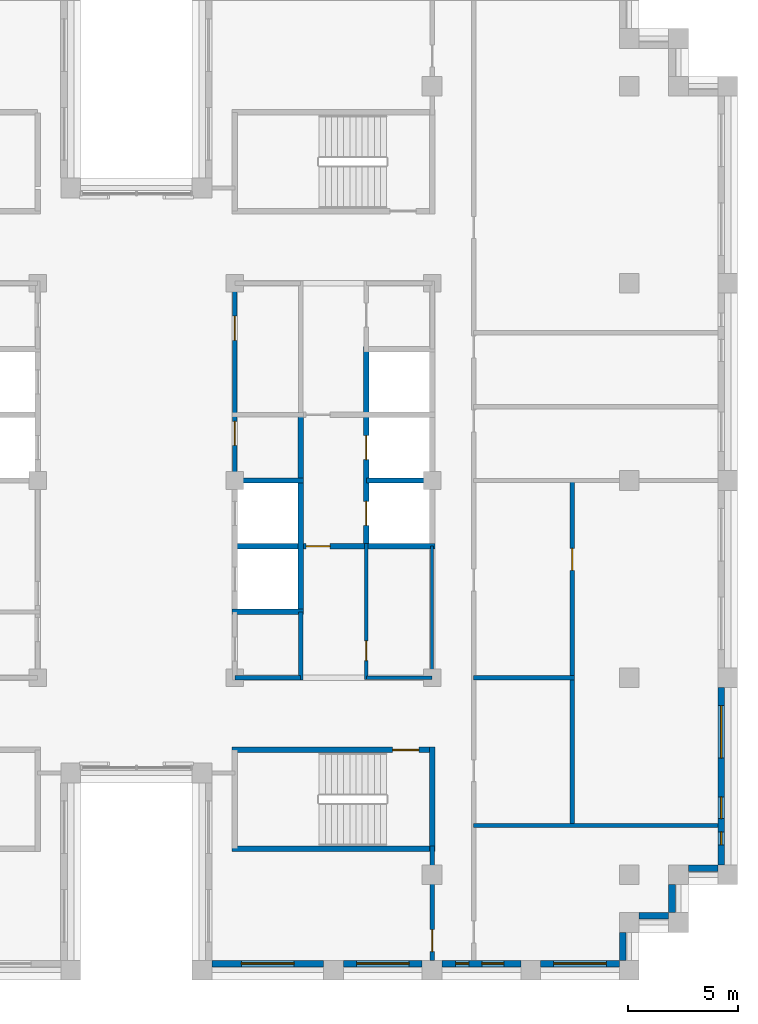
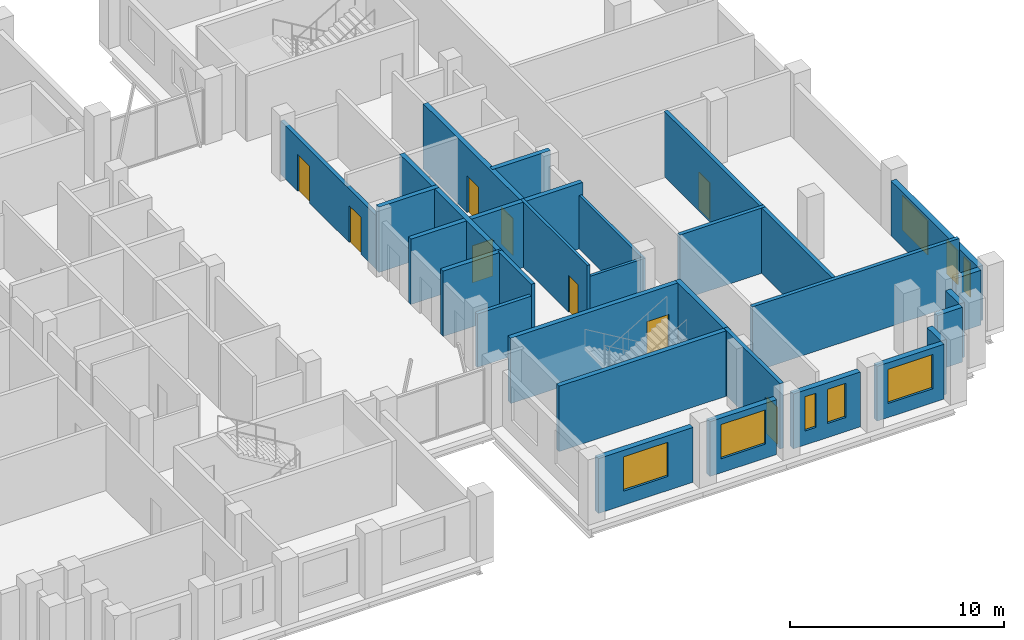
# One storey, part 8 of 13: 28 walls, 9 doors, 8 windows, 17 openings.
"""IFC4 building model written with IfcOpenShell, lengths in metres."""

from ifc_helpers import new_model, si_unit, direction, frame, frame_2d, origin, place, context, subcontext, project, spatial, rectangle, extrude, material, layer, layer_set, type_object, element, fill, save


model = new_model("IFC4")

# Units and contexts
model_context = context("Model", 3, precision=1e-05, world=origin(), true_north=direction((0.0, 1.0)))
body_context = subcontext(model_context, "Body", "Model", "MODEL_VIEW")
ifc_project = project(units=[si_unit("LENGTHUNIT", "METRE"), si_unit("AREAUNIT", "SQUARE_METRE"), si_unit("VOLUMEUNIT", "CUBIC_METRE"), si_unit("PLANEANGLEUNIT", "RADIAN"), si_unit("MASSUNIT", "GRAM", prefix="KILO")], contexts=[model_context])

# Site, building, storey
site_placement = place(None, origin())
site = spatial("IfcSite", under=ifc_project, at=site_placement, CompositionType="ELEMENT")
building_placement = place(site_placement, origin())
building = spatial("IfcBuilding", under=site, at=building_placement, Name="Corbelhall Arena Tower", CompositionType="ELEMENT")
storey_placement = place(building_placement, frame((0.0, 0.0, 286.0)))
storey = spatial("IfcBuildingStorey", under=building, at=storey_placement, Name="L62", CompositionType="ELEMENT", Elevation=286.0)

# Wall, opening, window
ifc_material_1 = material(Name="Precast concrete C40/50 with granite facing", Category="masonry")
ifc_layer_1 = layer(ifc_material_1, 0.300048828125)
ifc_layer_set_1 = layer_set([ifc_layer_1], Name="EV-IW1 Infill panel 300")
wall_type_1 = type_object("IfcWallType", Name="EV-IW1 Infill panel 300", PredefinedType="SOLIDWALL", material=ifc_layer_set_1)
wall_1_placement = place(storey_placement, frame((3.449951171875, -22.050048828125, 0.0), z_axis=(0.0, 0.0, 1.0), x_axis=(1.0, 0.0, 0.0)))
wall_1 = element("IfcWall", 1, at=wall_1_placement, inside=storey, type_object=wall_type_1, Name="Infill panel IW1", PredefinedType="SOLIDWALL", context=body_context, shape_type="SweptSolid", body=[
    extrude(rectangle(XDim=5.10009765625, YDim=0.300048828125, at=frame_2d((2.550048828125, 0.0))), origin(), (0.0, 0.0, 1.0), 3.1201171875),
])
opening_1_placement = place(wall_1_placement, frame((1.35009765625, 0.0, 0.800048828125)))
opening_1 = element("IfcOpeningElement", 2, at=opening_1_placement, cuts=wall_1, Name="Opening WN1", PredefinedType="OPENING", context=body_context, shape_type="SweptSolid", body=[
    extrude(rectangle(XDim=2.39990234375, YDim=1.949951171875, at=frame_2d((1.199951171875, 0.97509765625))), frame((0.0, 0.14990234375, 0.0), z_axis=(0.0, -1.0, 0.0), x_axis=(1.0, 0.0, 0.0)), (0.0, 0.0, 1.0), 0.300048828125),
])
ifc_material_2 = material(Name="Aluminium black anodised", Category="aluminium")
window_type_1 = type_object("IfcWindowType", Name="EV-WN1 Office window", PartitioningType="SINGLE_PANEL", PredefinedType="WINDOW", material=ifc_material_2)
window_1_placement = place(opening_1_placement, origin())
window_1 = element("IfcWindow", 3, at=window_1_placement, inside=storey, type_object=window_type_1, Name="Window WN1", OverallHeight=1.949951171875, OverallWidth=2.39990234375, PartitioningType="SINGLE_PANEL", PredefinedType="WINDOW", context=body_context, shape_type="SweptSolid", body=[
    extrude(rectangle(XDim=2.39990234375, YDim=1.949951171875, at=frame_2d((1.199951171875, 0.97509765625))), frame((0.0, 0.030029296875, 0.0), z_axis=(0.0, -1.0, 0.0), x_axis=(1.0, 0.0, 0.0)), (0.0, 0.0, 1.0), 0.06005859375),
])
fill(opening_1, window_1)

wall_2_placement = place(storey_placement, frame((9.449951171875, -22.050048828125, 0.0), z_axis=(0.0, 0.0, 1.0), x_axis=(1.0, 0.0, 0.0)))
wall_2 = element("IfcWall", 4, at=wall_2_placement, inside=storey, type_object=wall_type_1, Name="Infill panel IW1", PredefinedType="SOLIDWALL", context=body_context, shape_type="SweptSolid", body=[
    extrude(rectangle(XDim=3.60009765625, YDim=0.300048828125, at=frame_2d((1.800048828125, 0.0))), origin(), (0.0, 0.0, 1.0), 3.1201171875),
])
opening_2_placement = place(wall_2_placement, frame((0.60009765625, 0.0, 0.800048828125)))
opening_2 = element("IfcOpeningElement", 5, at=opening_2_placement, cuts=wall_2, Name="Opening WN1", PredefinedType="OPENING", context=body_context, shape_type="SweptSolid", body=[
    extrude(rectangle(XDim=2.39990234375, YDim=1.949951171875, at=frame_2d((1.199951171875, 0.97509765625))), frame((0.0, 0.14990234375, 0.0), z_axis=(0.0, -1.0, 0.0), x_axis=(1.0, 0.0, 0.0)), (0.0, 0.0, 1.0), 0.300048828125),
])
window_2_placement = place(opening_2_placement, origin())
window_2 = element("IfcWindow", 6, at=window_2_placement, inside=storey, type_object=window_type_1, Name="Window WN1", OverallHeight=1.949951171875, OverallWidth=2.39990234375, PartitioningType="SINGLE_PANEL", PredefinedType="WINDOW", context=body_context, shape_type="SweptSolid", body=[
    extrude(rectangle(XDim=2.39990234375, YDim=1.949951171875, at=frame_2d((1.199951171875, 0.97509765625))), frame((0.0, 0.030029296875, 0.0), z_axis=(0.0, -1.0, 0.0), x_axis=(1.0, 0.0, 0.0)), (0.0, 0.0, 1.0), 0.06005859375),
])
fill(opening_2, window_2)

# Wall, openings, windows
wall_3_placement = place(storey_placement, frame((13.949951171875, -22.050048828125, 0.0), z_axis=(0.0, 0.0, 1.0), x_axis=(1.0, 0.0, 0.0)))
wall_3 = element("IfcWall", 7, at=wall_3_placement, inside=storey, type_object=wall_type_1, Name="Infill panel IW1", PredefinedType="SOLIDWALL", context=body_context, shape_type="SweptSolid", body=[
    extrude(rectangle(XDim=3.60009765625, YDim=0.300048828125, at=frame_2d((1.800048828125, 0.0))), origin(), (0.0, 0.0, 1.0), 3.1201171875),
])
opening_3_placement = place(wall_3_placement, frame((0.625, 0.0, 0.800048828125)))
opening_3 = element("IfcOpeningElement", 8, at=opening_3_placement, cuts=wall_3, Name="Opening WN5", PredefinedType="OPENING", context=body_context, shape_type="SweptSolid", body=[
    extrude(rectangle(XDim=0.60009765625, YDim=1.949951171875, at=frame_2d((0.300048828125, 0.97509765625))), frame((0.0, 0.14990234375, 0.0), z_axis=(0.0, -1.0, 0.0), x_axis=(1.0, 0.0, 0.0)), (0.0, 0.0, 1.0), 0.300048828125),
])
opening_4_placement = place(wall_3_placement, frame((1.824951171875, 0.0, 0.800048828125)))
opening_4 = element("IfcOpeningElement", 9, at=opening_4_placement, cuts=wall_3, Name="Opening WN6", PredefinedType="OPENING", context=body_context, shape_type="SweptSolid", body=[
    extrude(rectangle(XDim=1.0, YDim=1.949951171875, at=frame_2d((0.5, 0.97509765625))), frame((0.0, 0.14990234375, 0.0), z_axis=(0.0, -1.0, 0.0), x_axis=(1.0, 0.0, 0.0)), (0.0, 0.0, 1.0), 0.300048828125),
])
window_type_2 = type_object("IfcWindowType", Name="EV-WN5 Office window 600", PartitioningType="SINGLE_PANEL", PredefinedType="WINDOW", material=ifc_material_2)
window_3_placement = place(opening_3_placement, origin())
window_3 = element("IfcWindow", 10, at=window_3_placement, inside=storey, type_object=window_type_2, Name="Window WN5", OverallHeight=1.949951171875, OverallWidth=0.60009765625, PartitioningType="SINGLE_PANEL", PredefinedType="WINDOW", context=body_context, shape_type="SweptSolid", body=[
    extrude(rectangle(XDim=0.60009765625, YDim=1.949951171875, at=frame_2d((0.300048828125, 0.97509765625))), frame((0.0, 0.030029296875, 0.0), z_axis=(0.0, -1.0, 0.0), x_axis=(1.0, 0.0, 0.0)), (0.0, 0.0, 1.0), 0.06005859375),
])
fill(opening_3, window_3)
window_type_3 = type_object("IfcWindowType", Name="EV-WN6 Office window 1000", PartitioningType="SINGLE_PANEL", PredefinedType="WINDOW", material=ifc_material_2)
window_4_placement = place(opening_4_placement, origin())
window_4 = element("IfcWindow", 11, at=window_4_placement, inside=storey, type_object=window_type_3, Name="Window WN6", OverallHeight=1.949951171875, OverallWidth=1.0, PartitioningType="SINGLE_PANEL", PredefinedType="WINDOW", context=body_context, shape_type="SweptSolid", body=[
    extrude(rectangle(XDim=1.0, YDim=1.949951171875, at=frame_2d((0.5, 0.97509765625))), frame((0.0, 0.030029296875, 0.0), z_axis=(0.0, -1.0, 0.0), x_axis=(1.0, 0.0, 0.0)), (0.0, 0.0, 1.0), 0.06005859375),
])
fill(opening_4, window_4)

# Wall, opening, window
wall_4_placement = place(storey_placement, frame((18.449951171875, -22.050048828125, 0.0), z_axis=(0.0, 0.0, 1.0), x_axis=(1.0, 0.0, 0.0)))
wall_4 = element("IfcWall", 12, at=wall_4_placement, inside=storey, type_object=wall_type_1, Name="Infill panel IW1", PredefinedType="SOLIDWALL", context=body_context, shape_type="SweptSolid", body=[
    extrude(rectangle(XDim=3.60009765625, YDim=0.300048828125, at=frame_2d((1.800048828125, 0.0))), origin(), (0.0, 0.0, 1.0), 3.1201171875),
])
opening_5_placement = place(wall_4_placement, frame((0.60009765625, 0.0, 0.800048828125)))
opening_5 = element("IfcOpeningElement", 13, at=opening_5_placement, cuts=wall_4, Name="Opening WN1", PredefinedType="OPENING", context=body_context, shape_type="SweptSolid", body=[
    extrude(rectangle(XDim=2.39990234375, YDim=1.949951171875, at=frame_2d((1.199951171875, 0.97509765625))), frame((0.0, 0.14990234375, 0.0), z_axis=(0.0, -1.0, 0.0), x_axis=(1.0, 0.0, 0.0)), (0.0, 0.0, 1.0), 0.300048828125),
])
window_5_placement = place(opening_5_placement, origin())
window_5 = element("IfcWindow", 14, at=window_5_placement, inside=storey, type_object=window_type_1, Name="Window WN1", OverallHeight=1.949951171875, OverallWidth=2.39990234375, PartitioningType="SINGLE_PANEL", PredefinedType="WINDOW", context=body_context, shape_type="SweptSolid", body=[
    extrude(rectangle(XDim=2.39990234375, YDim=1.949951171875, at=frame_2d((1.199951171875, 0.97509765625))), frame((0.0, 0.030029296875, 0.0), z_axis=(0.0, -1.0, 0.0), x_axis=(1.0, 0.0, 0.0)), (0.0, 0.0, 1.0), 0.06005859375),
])
fill(opening_5, window_5)

# Walls
wall_5_placement = place(storey_placement, frame((22.199951171875, -21.89990234375, 0.0), z_axis=(0.0, 0.0, 1.0), x_axis=(0.0, 1.0, 0.0)))
element("IfcWall", 15, at=wall_5_placement, inside=storey, type_object=wall_type_1, Name="Infill panel IW1", PredefinedType="SOLIDWALL", context=body_context, shape_type="SweptSolid", body=[
    extrude(rectangle(XDim=1.27490234375, YDim=0.300048828125, at=frame_2d((0.637451171875, 0.0))), origin(), (0.0, 0.0, 1.0), 3.1201171875),
])
wall_6_placement = place(storey_placement, frame((22.949951171875, -19.875, 0.0), z_axis=(0.0, 0.0, 1.0), x_axis=(1.0, 0.0, 0.0)))
element("IfcWall", 16, at=wall_6_placement, inside=storey, type_object=wall_type_1, Name="Infill panel IW1", PredefinedType="SOLIDWALL", context=body_context, shape_type="SweptSolid", body=[
    extrude(rectangle(XDim=1.35009765625, YDim=0.300048828125, at=frame_2d((0.675048828125, 0.0))), origin(), (0.0, 0.0, 1.0), 3.1201171875),
])
wall_7_placement = place(storey_placement, frame((24.449951171875, -19.72509765625, 0.0), z_axis=(0.0, 0.0, 1.0), x_axis=(0.0, 1.0, 0.0)))
element("IfcWall", 17, at=wall_7_placement, inside=storey, type_object=wall_type_1, Name="Infill panel IW1", PredefinedType="SOLIDWALL", context=body_context, shape_type="SweptSolid", body=[
    extrude(rectangle(XDim=1.275146484375, YDim=0.300048828125, at=frame_2d((0.6376953125, 0.0))), origin(), (0.0, 0.0, 1.0), 3.1201171875),
])
wall_8_placement = place(storey_placement, frame((25.199951171875, -17.699951171875, 0.0), z_axis=(0.0, 0.0, 1.0), x_axis=(1.0, 0.0, 0.0)))
element("IfcWall", 18, at=wall_8_placement, inside=storey, type_object=wall_type_1, Name="Infill panel IW1", PredefinedType="SOLIDWALL", context=body_context, shape_type="SweptSolid", body=[
    extrude(rectangle(XDim=1.35009765625, YDim=0.300048828125, at=frame_2d((0.675048828125, 0.0))), origin(), (0.0, 0.0, 1.0), 3.1201171875),
])

# Wall, openings, windows
wall_9_placement = place(storey_placement, frame((26.699951171875, -17.550048828125, 0.0), z_axis=(0.0, 0.0, 1.0), x_axis=(0.0, 1.0, 0.0)))
wall_9 = element("IfcWall", 19, at=wall_9_placement, inside=storey, type_object=wall_type_1, Name="Infill panel IW1", PredefinedType="SOLIDWALL", context=body_context, shape_type="SweptSolid", body=[
    extrude(rectangle(XDim=8.10009765625, YDim=0.300048828125, at=frame_2d((4.050048828125, 0.0))), origin(), (0.0, 0.0, 1.0), 3.1201171875),
])
opening_6_placement = place(wall_9_placement, frame((4.875, 0.0, 0.800048828125)))
opening_6 = element("IfcOpeningElement", 20, at=opening_6_placement, cuts=wall_9, Name="Opening WN1", PredefinedType="OPENING", context=body_context, shape_type="SweptSolid", body=[
    extrude(rectangle(XDim=2.39990234375, YDim=1.949951171875, at=frame_2d((1.199951171875, 0.97509765625))), frame((0.0, 0.14990234375, 0.0), z_axis=(0.0, -1.0, 0.0), x_axis=(1.0, 0.0, 0.0)), (0.0, 0.0, 1.0), 0.300048828125),
])
opening_7_placement = place(wall_9_placement, frame((0.91259765625, 0.0, 0.800048828125)))
opening_7 = element("IfcOpeningElement", 21, at=opening_7_placement, cuts=wall_9, Name="Opening WN5", PredefinedType="OPENING", context=body_context, shape_type="SweptSolid", body=[
    extrude(rectangle(XDim=0.60009765625, YDim=1.949951171875, at=frame_2d((0.300048828125, 0.97509765625))), frame((0.0, 0.14990234375, 0.0), z_axis=(0.0, -1.0, 0.0), x_axis=(1.0, 0.0, 0.0)), (0.0, 0.0, 1.0), 0.300048828125),
])
opening_8_placement = place(wall_9_placement, frame((2.112548828125, 0.0, 0.800048828125)))
opening_8 = element("IfcOpeningElement", 22, at=opening_8_placement, cuts=wall_9, Name="Opening WN6", PredefinedType="OPENING", context=body_context, shape_type="SweptSolid", body=[
    extrude(rectangle(XDim=1.0, YDim=1.949951171875, at=frame_2d((0.5, 0.97509765625))), frame((0.0, 0.14990234375, 0.0), z_axis=(0.0, -1.0, 0.0), x_axis=(1.0, 0.0, 0.0)), (0.0, 0.0, 1.0), 0.300048828125),
])
window_6_placement = place(opening_6_placement, origin())
window_6 = element("IfcWindow", 23, at=window_6_placement, inside=storey, type_object=window_type_1, Name="Window WN1", OverallHeight=1.949951171875, OverallWidth=2.39990234375, PartitioningType="SINGLE_PANEL", PredefinedType="WINDOW", context=body_context, shape_type="SweptSolid", body=[
    extrude(rectangle(XDim=2.39990234375, YDim=1.949951171875, at=frame_2d((1.199951171875, 0.97509765625))), frame((0.0, 0.030029296875, 0.0), z_axis=(0.0, -1.0, 0.0), x_axis=(1.0, 0.0, 0.0)), (0.0, 0.0, 1.0), 0.06005859375),
])
fill(opening_6, window_6)
window_7_placement = place(opening_7_placement, origin())
window_7 = element("IfcWindow", 24, at=window_7_placement, inside=storey, type_object=window_type_2, Name="Window WN5", OverallHeight=1.949951171875, OverallWidth=0.60009765625, PartitioningType="SINGLE_PANEL", PredefinedType="WINDOW", context=body_context, shape_type="SweptSolid", body=[
    extrude(rectangle(XDim=0.60009765625, YDim=1.949951171875, at=frame_2d((0.300048828125, 0.97509765625))), frame((0.0, 0.030029296875, 0.0), z_axis=(0.0, -1.0, 0.0), x_axis=(1.0, 0.0, 0.0)), (0.0, 0.0, 1.0), 0.06005859375),
])
fill(opening_7, window_7)
window_8_placement = place(opening_8_placement, origin())
window_8 = element("IfcWindow", 25, at=window_8_placement, inside=storey, type_object=window_type_3, Name="Window WN6", OverallHeight=1.949951171875, OverallWidth=1.0, PartitioningType="SINGLE_PANEL", PredefinedType="WINDOW", context=body_context, shape_type="SweptSolid", body=[
    extrude(rectangle(XDim=1.0, YDim=1.949951171875, at=frame_2d((0.5, 0.97509765625))), frame((0.0, 0.030029296875, 0.0), z_axis=(0.0, -1.0, 0.0), x_axis=(1.0, 0.0, 0.0)), (0.0, 0.0, 1.0), 0.06005859375),
])
fill(opening_8, window_8)

# Wall, opening, door
ifc_material_3 = material(Name="Gypsum board on steel stud, acoustic", Category="steel")
ifc_layer_2 = layer(ifc_material_3, 0.199951171875)
ifc_layer_set_2 = layer_set([ifc_layer_2], Name="IN-W-DM200")
wall_type_2 = type_object("IfcWallType", Name="IN-W-DM200", PredefinedType="PARTITIONING", material=ifc_layer_set_2)
wall_10_placement = place(storey_placement, frame((13.5, -21.89990234375, 0.0), z_axis=(0.0, 0.0, 1.0), x_axis=(0.0, 1.0, 0.0)))
wall_10 = element("IfcWall", 26, at=wall_10_placement, inside=storey, type_object=wall_type_2, Name="Partition 012", PredefinedType="PARTITIONING", context=body_context, shape_type="SweptSolid", body=[
    extrude(rectangle(XDim=5.224853515625, YDim=0.199951171875, at=frame_2d((2.6123046875, 0.0))), origin(), (0.0, 0.0, 1.0), 3.719970703125),
])
opening_9_placement = place(wall_10_placement, frame((0.39990234375, 0.0, 0.0)))
opening_9 = element("IfcOpeningElement", 27, at=opening_9_placement, cuts=wall_10, Name="Opening 20022", PredefinedType="OPENING", context=body_context, shape_type="SweptSolid", body=[
    extrude(rectangle(XDim=1.0, YDim=2.10009765625, at=frame_2d((0.5, 1.050048828125))), frame((0.0, 0.10009765625, 0.0), z_axis=(0.0, -1.0, 0.0), x_axis=(1.0, 0.0, 0.0)), (0.0, 0.0, 1.0), 0.199951171875),
])
ifc_material_4 = material(Name="Steel door set", Category="steel")
door_type_1 = type_object("IfcDoorType", Name="IN-D-SW100", OperationType="NOTDEFINED", PredefinedType="DOOR", material=ifc_material_4)
door_1_placement = place(opening_9_placement, origin())
door_1 = element("IfcDoor", 28, at=door_1_placement, inside=storey, type_object=door_type_1, Name="Door 022", OperationType="SINGLE_SWING_LEFT", OverallHeight=2.10009765625, OverallWidth=1.0, PredefinedType="DOOR", context=body_context, shape_type="SweptSolid", body=[
    extrude(rectangle(XDim=1.0, YDim=2.10009765625, at=frame_2d((0.5, 1.050048828125))), frame((0.0, 0.02490234375, 0.0), z_axis=(0.0, -1.0, 0.0), x_axis=(1.0, 0.0, 0.0)), (0.0, 0.0, 1.0), 0.050048828125),
])
fill(opening_9, door_1)

# Walls
wall_11_placement = place(storey_placement, frame((15.39990234375, -15.75, 0.0), z_axis=(0.0, 0.0, 1.0), x_axis=(1.0, 0.0, 0.0)))
element("IfcWall", 29, at=wall_11_placement, inside=storey, type_object=wall_type_2, Name="Partition 014", PredefinedType="PARTITIONING", context=body_context, shape_type="SweptSolid", body=[
    extrude(rectangle(XDim=11.150146484375, YDim=0.199951171875, at=frame_2d((5.5751953125, 0.0))), origin(), (0.0, 0.0, 1.0), 3.719970703125),
])
wall_12_placement = place(storey_placement, frame((15.39990234375, -9.0, 0.0), z_axis=(0.0, 0.0, 1.0), x_axis=(1.0, 0.0, 0.0)))
element("IfcWall", 30, at=wall_12_placement, inside=storey, type_object=wall_type_2, Name="Partition 016", PredefinedType="PARTITIONING", context=body_context, shape_type="SweptSolid", body=[
    extrude(rectangle(XDim=4.60009765625, YDim=0.199951171875, at=frame_2d((2.300048828125, 0.0))), origin(), (0.0, 0.0, 1.0), 3.719970703125),
])

# Wall, opening, door
wall_13_placement = place(storey_placement, frame((19.89990234375, 0.0, 0.0), z_axis=(0.0, 0.0, 1.0), x_axis=(0.0, -1.0, 0.0)))
wall_13 = element("IfcWall", 31, at=wall_13_placement, inside=storey, type_object=wall_type_2, Name="Partition 019", PredefinedType="PARTITIONING", context=body_context, shape_type="SweptSolid", body=[
    extrude(rectangle(XDim=15.75, YDim=0.199951171875, at=frame_2d((7.875, 0.0))), origin(), (0.0, 0.0, 1.0), 3.719970703125),
])
opening_10_placement = place(wall_13_placement, frame((3.10009765625, 0.0, 0.0)))
opening_10 = element("IfcOpeningElement", 32, at=opening_10_placement, cuts=wall_13, Name="Opening 20034", PredefinedType="OPENING", context=body_context, shape_type="SweptSolid", body=[
    extrude(rectangle(XDim=1.0, YDim=2.10009765625, at=frame_2d((0.5, 1.050048828125))), frame((0.0, 0.10009765625, 0.0), z_axis=(0.0, -1.0, 0.0), x_axis=(1.0, 0.0, 0.0)), (0.0, 0.0, 1.0), 0.199951171875),
])
door_2_placement = place(opening_10_placement, origin())
door_2 = element("IfcDoor", 33, at=door_2_placement, inside=storey, type_object=door_type_1, Name="Door 034", OperationType="SINGLE_SWING_LEFT", OverallHeight=2.10009765625, OverallWidth=1.0, PredefinedType="DOOR", context=body_context, shape_type="SweptSolid", body=[
    extrude(rectangle(XDim=1.0, YDim=2.10009765625, at=frame_2d((0.5, 1.050048828125))), frame((0.0, 0.02490234375, 0.0), z_axis=(0.0, -1.0, 0.0), x_axis=(1.0, 0.0, 0.0)), (0.0, 0.0, 1.0), 0.050048828125),
])
fill(opening_10, door_2)

# Wall
ifc_material_5 = material(Name="Concrete block wall", Category="concrete")
ifc_layer_3 = layer(ifc_material_5, 0.199951171875)
ifc_layer_set_3 = layer_set([ifc_layer_3], Name="IN-W-RS200")
wall_type_3 = type_object("IfcWallType", Name="IN-W-RS200", PredefinedType="SOLIDWALL", material=ifc_layer_set_3)
wall_14_placement = place(storey_placement, frame((7.5, -6.0, 0.0), z_axis=(0.0, 0.0, 1.0), x_axis=(0.0, -1.0, 0.0)))
element("IfcWall", 34, at=wall_14_placement, inside=storey, type_object=wall_type_3, Name="Partition 035", PredefinedType="SOLIDWALL", context=body_context, shape_type="SweptSolid", body=[
    extrude(rectangle(XDim=3.10009765625, YDim=0.199951171875, at=frame_2d((1.550048828125, 0.0))), origin(), (0.0, 0.0, 1.0), 3.719970703125),
])

# Wall, openings, doors
ifc_layer_4 = layer(ifc_material_5, 0.199951171875)
ifc_layer_set_4 = layer_set([ifc_layer_4], Name="IN-W-RS200 under beam 678 mm")
wall_type_4 = type_object("IfcWallType", Name="IN-W-RS200 under beam 678 mm", PredefinedType="SOLIDWALL", material=ifc_layer_set_4)
wall_15_placement = place(storey_placement, frame((4.5, 0.0, 0.0), z_axis=(0.0, 0.0, 1.0), x_axis=(0.0, 1.0, 0.0)))
wall_15 = element("IfcWall", 35, at=wall_15_placement, inside=storey, type_object=wall_type_4, Name="Partition 032", PredefinedType="SOLIDWALL", context=body_context, shape_type="SweptSolid", body=[
    extrude(rectangle(XDim=9.10009765625, YDim=0.199951171875, at=frame_2d((4.550048828125, 0.0))), origin(), (0.0, 0.0, 1.0), 3.041748046875),
])
opening_11_placement = place(wall_15_placement, frame((1.60009765625, 0.0, 0.0)))
opening_11 = element("IfcOpeningElement", 36, at=opening_11_placement, cuts=wall_15, Name="Opening 20010", PredefinedType="OPENING", context=body_context, shape_type="SweptSolid", body=[
    extrude(rectangle(XDim=1.10009765625, YDim=2.10009765625, at=frame_2d((0.550048828125, 1.050048828125))), frame((0.0, 0.10009765625, 0.0), z_axis=(0.0, -1.0, 0.0), x_axis=(1.0, 0.0, 0.0)), (0.0, 0.0, 1.0), 0.199951171875),
])
opening_12_placement = place(wall_15_placement, frame((6.39990234375, 0.0, 0.0)))
opening_12 = element("IfcOpeningElement", 37, at=opening_12_placement, cuts=wall_15, Name="Opening 20011", PredefinedType="OPENING", context=body_context, shape_type="SweptSolid", body=[
    extrude(rectangle(XDim=1.10009765625, YDim=2.10009765625, at=frame_2d((0.550048828125, 1.050048828125))), frame((0.0, 0.10009765625, 0.0), z_axis=(0.0, -1.0, 0.0), x_axis=(1.0, 0.0, 0.0)), (0.0, 0.0, 1.0), 0.199951171875),
])
door_type_2 = type_object("IfcDoorType", Name="IN-D-FD110", OperationType="NOTDEFINED", PredefinedType="DOOR", material=ifc_material_4)
door_3_placement = place(opening_11_placement, origin())
door_3 = element("IfcDoor", 38, at=door_3_placement, inside=storey, type_object=door_type_2, Name="Door 010", OperationType="SINGLE_SWING_LEFT", OverallHeight=2.10009765625, OverallWidth=1.10009765625, PredefinedType="DOOR", context=body_context, shape_type="SweptSolid", body=[
    extrude(rectangle(XDim=1.10009765625, YDim=2.10009765625, at=frame_2d((0.550048828125, 1.050048828125))), frame((0.0, 0.02490234375, 0.0), z_axis=(0.0, -1.0, 0.0), x_axis=(1.0, 0.0, 0.0)), (0.0, 0.0, 1.0), 0.050048828125),
])
fill(opening_11, door_3)
door_4_placement = place(opening_12_placement, origin())
door_4 = element("IfcDoor", 39, at=door_4_placement, inside=storey, type_object=door_type_2, Name="Door 011", OperationType="SINGLE_SWING_RIGHT", OverallHeight=2.10009765625, OverallWidth=1.10009765625, PredefinedType="DOOR", context=body_context, shape_type="SweptSolid", body=[
    extrude(rectangle(XDim=1.10009765625, YDim=2.10009765625, at=frame_2d((0.550048828125, 1.050048828125))), frame((0.0, 0.02490234375, 0.0), z_axis=(0.0, -1.0, 0.0), x_axis=(1.0, 0.0, 0.0)), (0.0, 0.0, 1.0), 0.050048828125),
])
fill(opening_12, door_4)

# Walls
wall_16_placement = place(storey_placement, frame((7.5, -9.0, 0.0), z_axis=(0.0, 0.0, 1.0), x_axis=(-1.0, 0.0, 0.0)))
element("IfcWall", 40, at=wall_16_placement, inside=storey, type_object=wall_type_4, Name="Partition 034", PredefinedType="SOLIDWALL", context=body_context, shape_type="SweptSolid", body=[
    extrude(rectangle(XDim=3.0, YDim=0.199951171875, at=frame_2d((1.5, 0.0))), origin(), (0.0, 0.0, 1.0), 3.041748046875),
])
ifc_material_6 = material(Name="Concrete C40/50", Category="concrete")
ifc_layer_5 = layer(ifc_material_6, 0.25)
ifc_layer_set_5 = layer_set([ifc_layer_5], Name="IN-W-SH250")
wall_type_5 = type_object("IfcWallType", Name="IN-W-SH250", PredefinedType="SOLIDWALL", material=ifc_layer_set_5)
wall_17_placement = place(storey_placement, frame((4.375, -6.0, 0.0), z_axis=(0.0, 0.0, 1.0), x_axis=(1.0, 0.0, 0.0)))
element("IfcWall", 41, at=wall_17_placement, inside=storey, type_object=wall_type_5, Name="Shaft wall 049", PredefinedType="SOLIDWALL", context=body_context, shape_type="SweptSolid", body=[
    extrude(rectangle(XDim=3.25, YDim=0.25, at=frame_2d((1.625, 0.0))), origin(), (0.0, 0.0, 1.0), 3.719970703125),
])

# Wall, opening, door
wall_18_placement = place(storey_placement, frame((4.375, -3.0, 0.0), z_axis=(0.0, 0.0, 1.0), x_axis=(1.0, 0.0, 0.0)))
wall_18 = element("IfcWall", 42, at=wall_18_placement, inside=storey, type_object=wall_type_5, Name="Shaft wall 050", PredefinedType="SOLIDWALL", context=body_context, shape_type="SweptSolid", body=[
    extrude(rectangle(XDim=9.25, YDim=0.25, at=frame_2d((4.625, 0.0))), origin(), (0.0, 0.0, 1.0), 3.719970703125),
])
opening_13_placement = place(wall_18_placement, frame((3.375, 0.0, 0.0)))
opening_13 = element("IfcOpeningElement", 43, at=opening_13_placement, cuts=wall_18, Name="Opening 20012", PredefinedType="OPENING", context=body_context, shape_type="SweptSolid", body=[
    extrude(rectangle(XDim=1.10009765625, YDim=2.10009765625, at=frame_2d((0.550048828125, 1.050048828125))), frame((0.0, 0.125, 0.0), z_axis=(0.0, -1.0, 0.0), x_axis=(1.0, 0.0, 0.0)), (0.0, 0.0, 1.0), 0.25),
])
door_5_placement = place(opening_13_placement, origin())
door_5 = element("IfcDoor", 44, at=door_5_placement, inside=storey, type_object=door_type_2, Name="Door 012", OperationType="SINGLE_SWING_LEFT", OverallHeight=2.10009765625, OverallWidth=1.10009765625, PredefinedType="DOOR", context=body_context, shape_type="SweptSolid", body=[
    extrude(rectangle(XDim=1.10009765625, YDim=2.10009765625, at=frame_2d((0.550048828125, 1.050048828125))), frame((0.0, 0.02490234375, 0.0), z_axis=(0.0, -1.0, 0.0), x_axis=(1.0, 0.0, 0.0)), (0.0, 0.0, 1.0), 0.050048828125),
])
fill(opening_13, door_5)

# Walls
wall_19_placement = place(storey_placement, frame((4.375, 0.0, 0.0), z_axis=(0.0, 0.0, 1.0), x_axis=(1.0, 0.0, 0.0)))
element("IfcWall", 45, at=wall_19_placement, inside=storey, type_object=wall_type_5, Name="Shaft wall 051", PredefinedType="SOLIDWALL", context=body_context, shape_type="SweptSolid", body=[
    extrude(rectangle(XDim=3.25, YDim=0.25, at=frame_2d((1.625, 0.0))), origin(), (0.0, 0.0, 1.0), 3.719970703125),
])
wall_20_placement = place(storey_placement, frame((7.5, 3.125, 0.0), z_axis=(0.0, 0.0, 1.0), x_axis=(0.0, -1.0, 0.0)))
element("IfcWall", 46, at=wall_20_placement, inside=storey, type_object=wall_type_5, Name="Shaft wall 053", PredefinedType="SOLIDWALL", context=body_context, shape_type="SweptSolid", body=[
    extrude(rectangle(XDim=9.125, YDim=0.25, at=frame_2d((4.5625, 0.0))), origin(), (0.0, 0.0, 1.0), 3.719970703125),
])
wall_21_placement = place(storey_placement, frame((10.5, 0.0, 0.0), z_axis=(0.0, 0.0, 1.0), x_axis=(1.0, 0.0, 0.0)))
element("IfcWall", 47, at=wall_21_placement, inside=storey, type_object=wall_type_5, Name="Shaft wall 055", PredefinedType="SOLIDWALL", context=body_context, shape_type="SweptSolid", body=[
    extrude(rectangle(XDim=3.125, YDim=0.25, at=frame_2d((1.5625, 0.0))), origin(), (0.0, 0.0, 1.0), 3.719970703125),
])

# Wall, openings, doors
wall_22_placement = place(storey_placement, frame((10.5, 6.125, 0.0), z_axis=(0.0, 0.0, 1.0), x_axis=(0.0, -1.0, 0.0)))
wall_22 = element("IfcWall", 48, at=wall_22_placement, inside=storey, type_object=wall_type_5, Name="Shaft wall 056", PredefinedType="SOLIDWALL", context=body_context, shape_type="SweptSolid", body=[
    extrude(rectangle(XDim=9.25, YDim=0.25, at=frame_2d((4.625, 0.0))), origin(), (0.0, 0.0, 1.0), 3.719970703125),
])
opening_14_placement = place(wall_22_placement, frame((7.074951171875, 0.0, 0.0)))
opening_14 = element("IfcOpeningElement", 49, at=opening_14_placement, cuts=wall_22, Name="Opening LD", PredefinedType="OPENING", context=body_context, shape_type="SweptSolid", body=[
    extrude(rectangle(XDim=1.10009765625, YDim=2.10009765625, at=frame_2d((0.550048828125, 1.050048828125))), frame((0.0, 0.125, 0.0), z_axis=(0.0, -1.0, 0.0), x_axis=(1.0, 0.0, 0.0)), (0.0, 0.0, 1.0), 0.25),
])
opening_15_placement = place(wall_22_placement, frame((4.074951171875, 0.0, 0.0)))
opening_15 = element("IfcOpeningElement", 50, at=opening_15_placement, cuts=wall_22, Name="Opening LD", PredefinedType="OPENING", context=body_context, shape_type="SweptSolid", body=[
    extrude(rectangle(XDim=1.10009765625, YDim=2.10009765625, at=frame_2d((0.550048828125, 1.050048828125))), frame((0.0, 0.125, 0.0), z_axis=(0.0, -1.0, 0.0), x_axis=(1.0, 0.0, 0.0)), (0.0, 0.0, 1.0), 0.25),
])
door_type_3 = type_object("IfcDoorType", Name="IN-D-LD110", OperationType="NOTDEFINED", PredefinedType="DOOR", material=ifc_material_4)
door_6_placement = place(opening_14_placement, origin())
door_6 = element("IfcDoor", 51, at=door_6_placement, inside=storey, type_object=door_type_3, Name="Landing door E3", OperationType="SLIDING_TO_LEFT", OverallHeight=2.10009765625, OverallWidth=1.10009765625, PredefinedType="DOOR", context=body_context, shape_type="SweptSolid", body=[
    extrude(rectangle(XDim=1.10009765625, YDim=2.10009765625, at=frame_2d((0.550048828125, 1.050048828125))), frame((0.0, 0.02490234375, 0.0), z_axis=(0.0, -1.0, 0.0), x_axis=(1.0, 0.0, 0.0)), (0.0, 0.0, 1.0), 0.050048828125),
])
fill(opening_14, door_6)
door_7_placement = place(opening_15_placement, origin())
door_7 = element("IfcDoor", 52, at=door_7_placement, inside=storey, type_object=door_type_3, Name="Landing door E4", OperationType="SLIDING_TO_LEFT", OverallHeight=2.10009765625, OverallWidth=1.10009765625, PredefinedType="DOOR", context=body_context, shape_type="SweptSolid", body=[
    extrude(rectangle(XDim=1.10009765625, YDim=2.10009765625, at=frame_2d((0.550048828125, 1.050048828125))), frame((0.0, 0.02490234375, 0.0), z_axis=(0.0, -1.0, 0.0), x_axis=(1.0, 0.0, 0.0)), (0.0, 0.0, 1.0), 0.050048828125),
])
fill(opening_15, door_7)

# Walls
ifc_layer_6 = layer(ifc_material_6, 0.25)
ifc_layer_set_6 = layer_set([ifc_layer_6], Name="IN-W-ST250")
wall_type_6 = type_object("IfcWallType", Name="IN-W-ST250", PredefinedType="SOLIDWALL", material=ifc_layer_set_6)
wall_23_placement = place(storey_placement, frame((13.5, -16.925048828125, 0.0), z_axis=(0.0, 0.0, 1.0), x_axis=(0.0, 1.0, 0.0)))
element("IfcWall", 53, at=wall_23_placement, inside=storey, type_object=wall_type_6, Name="Shaft wall 072", PredefinedType="SOLIDWALL", context=body_context, shape_type="SweptSolid", body=[
    extrude(rectangle(XDim=4.75, YDim=0.25, at=frame_2d((2.375, 0.0))), origin(), (0.0, 0.0, 1.0), 3.719970703125),
])
wall_24_placement = place(storey_placement, frame((13.5, -16.800048828125, 0.0), z_axis=(0.0, 0.0, 1.0), x_axis=(-1.0, 0.0, 0.0)))
element("IfcWall", 54, at=wall_24_placement, inside=storey, type_object=wall_type_6, Name="Shaft wall 073", PredefinedType="SOLIDWALL", context=body_context, shape_type="SweptSolid", body=[
    extrude(rectangle(XDim=9.125, YDim=0.25, at=frame_2d((4.5625, 0.0))), origin(), (0.0, 0.0, 1.0), 3.719970703125),
])

# Wall, opening, door
wall_25_placement = place(storey_placement, frame((13.5, -12.300048828125, 0.0), z_axis=(0.0, 0.0, 1.0), x_axis=(-1.0, 0.0, 0.0)))
wall_25 = element("IfcWall", 55, at=wall_25_placement, inside=storey, type_object=wall_type_6, Name="Shaft wall 074", PredefinedType="SOLIDWALL", context=body_context, shape_type="SweptSolid", body=[
    extrude(rectangle(XDim=9.125, YDim=0.25, at=frame_2d((4.5625, 0.0))), origin(), (0.0, 0.0, 1.0), 3.719970703125),
])
opening_16_placement = place(wall_25_placement, frame((0.60009765625, 0.0, 0.0)))
opening_16 = element("IfcOpeningElement", 56, at=opening_16_placement, cuts=wall_25, Name="Opening 20019", PredefinedType="OPENING", context=body_context, shape_type="SweptSolid", body=[
    extrude(rectangle(XDim=1.199951171875, YDim=2.10009765625, at=frame_2d((0.60009765625, 1.050048828125))), frame((0.0, 0.125, 0.0), z_axis=(0.0, -1.0, 0.0), x_axis=(1.0, 0.0, 0.0)), (0.0, 0.0, 1.0), 0.25),
])
door_type_4 = type_object("IfcDoorType", Name="IN-D-ST120", OperationType="NOTDEFINED", PredefinedType="DOOR", material=ifc_material_4)
door_8_placement = place(opening_16_placement, origin())
door_8 = element("IfcDoor", 57, at=door_8_placement, inside=storey, type_object=door_type_4, Name="Door 019", OperationType="SINGLE_SWING_RIGHT", OverallHeight=2.10009765625, OverallWidth=1.199951171875, PredefinedType="DOOR", context=body_context, shape_type="SweptSolid", body=[
    extrude(rectangle(XDim=1.199951171875, YDim=2.10009765625, at=frame_2d((0.60009765625, 1.050048828125))), frame((0.0, 0.02490234375, 0.0), z_axis=(0.0, -1.0, 0.0), x_axis=(1.0, 0.0, 0.0)), (0.0, 0.0, 1.0), 0.050048828125),
])
fill(opening_16, door_8)

ifc_material_7 = material(Name="Gypsum board on steel stud, moisture resistant", Category="steel")
ifc_layer_7 = layer(ifc_material_7, 0.14990234375)
ifc_layer_set_7 = layer_set([ifc_layer_7], Name="IN-W-WC150")
wall_type_7 = type_object("IfcWallType", Name="IN-W-WC150", PredefinedType="PARTITIONING", material=ifc_layer_set_7)
wall_26_placement = place(storey_placement, frame((10.5, -2.875, 0.0), z_axis=(0.0, 0.0, 1.0), x_axis=(0.0, -1.0, 0.0)))
wall_26 = element("IfcWall", 58, at=wall_26_placement, inside=storey, type_object=wall_type_7, Name="Partition 083", PredefinedType="PARTITIONING", context=body_context, shape_type="SweptSolid", body=[
    extrude(rectangle(XDim=6.199951171875, YDim=0.14990234375, at=frame_2d((3.10009765625, 0.0))), origin(), (0.0, 0.0, 1.0), 3.719970703125),
])
opening_17_placement = place(wall_26_placement, frame((4.449951171875, 0.0, 0.0)))
opening_17 = element("IfcOpeningElement", 59, at=opening_17_placement, cuts=wall_26, Name="Opening 20014", PredefinedType="OPENING", context=body_context, shape_type="SweptSolid", body=[
    extrude(rectangle(XDim=0.89990234375, YDim=2.10009765625, at=frame_2d((0.449951171875, 1.050048828125))), frame((0.0, 0.074951171875, 0.0), z_axis=(0.0, -1.0, 0.0), x_axis=(1.0, 0.0, 0.0)), (0.0, 0.0, 1.0), 0.14990234375),
])
ifc_material_8 = material(Name="Timber door set", Category="wood")
door_type_5 = type_object("IfcDoorType", Name="IN-D-SW90", OperationType="NOTDEFINED", PredefinedType="DOOR", material=ifc_material_8)
door_9_placement = place(opening_17_placement, origin())
door_9 = element("IfcDoor", 60, at=door_9_placement, inside=storey, type_object=door_type_5, Name="Door 014", OperationType="SINGLE_SWING_LEFT", OverallHeight=2.10009765625, OverallWidth=0.89990234375, PredefinedType="DOOR", context=body_context, shape_type="SweptSolid", body=[
    extrude(rectangle(XDim=0.89990234375, YDim=2.10009765625, at=frame_2d((0.449951171875, 1.050048828125))), frame((0.0, 0.02490234375, 0.0), z_axis=(0.0, -1.0, 0.0), x_axis=(1.0, 0.0, 0.0)), (0.0, 0.0, 1.0), 0.050048828125),
])
fill(opening_17, door_9)

# Walls
ifc_layer_8 = layer(ifc_material_7, 0.14990234375)
ifc_layer_set_8 = layer_set([ifc_layer_8], Name="IN-W-WC150 under beam 678 mm")
wall_type_8 = type_object("IfcWallType", Name="IN-W-WC150 under beam 678 mm", PredefinedType="PARTITIONING", material=ifc_layer_set_8)
wall_27_placement = place(storey_placement, frame((13.5, -9.0, 0.0), z_axis=(0.0, 0.0, 1.0), x_axis=(-1.0, 0.0, 0.0)))
element("IfcWall", 61, at=wall_27_placement, inside=storey, type_object=wall_type_8, Name="Partition 084", PredefinedType="PARTITIONING", context=body_context, shape_type="SweptSolid", body=[
    extrude(rectangle(XDim=3.0, YDim=0.14990234375, at=frame_2d((1.5, 0.0))), origin(), (0.0, 0.0, 1.0), 3.041748046875),
])
wall_28_placement = place(storey_placement, frame((13.5, -3.0, 0.0), z_axis=(0.0, 0.0, 1.0), x_axis=(0.0, -1.0, 0.0)))
element("IfcWall", 62, at=wall_28_placement, inside=storey, type_object=wall_type_8, Name="Partition 085", PredefinedType="PARTITIONING", context=body_context, shape_type="SweptSolid", body=[
    extrude(rectangle(XDim=6.074951171875, YDim=0.14990234375, at=frame_2d((3.03759765625, 0.0))), origin(), (0.0, 0.0, 1.0), 3.041748046875),
])

save(model, "model.ifc")
